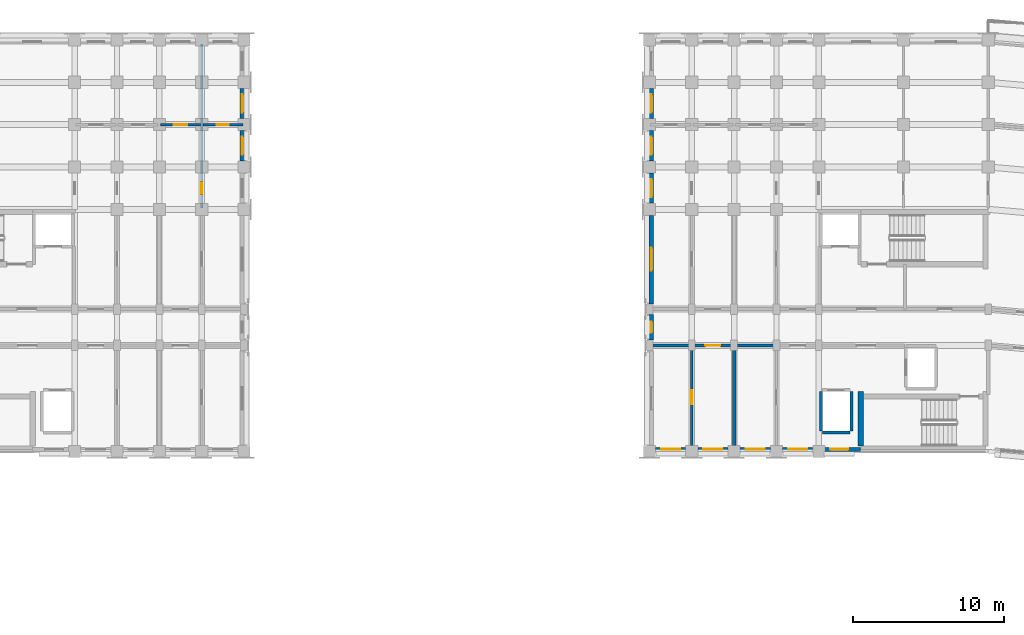
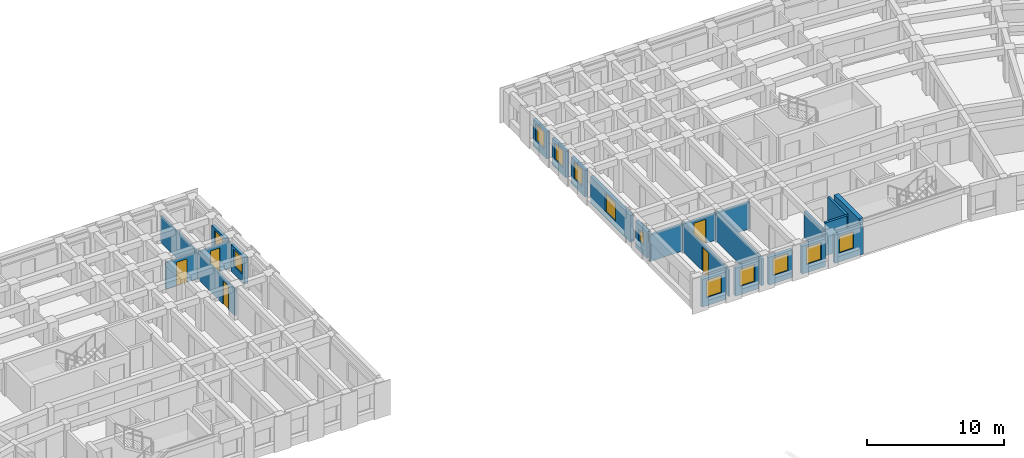
# One storey, part 28 of 54: 24 walls, 12 windows, 5 doors, 17 openings.
"""IFC4 building model written with IfcOpenShell, lengths in metres."""

from ifc_helpers import new_model, si_unit, direction, frame, frame_2d, origin, place, context, subcontext, project, spatial, rectangle, extrude, material, layer, layer_set, type_object, element, fill, save


model = new_model("IFC4")

# Units and contexts
model_context = context("Model", 3, precision=1e-05, world=origin(), true_north=direction((0.0, 1.0)))
body_context = subcontext(model_context, "Body", "Model", "MODEL_VIEW")
ifc_project = project(units=[si_unit("LENGTHUNIT", "METRE"), si_unit("AREAUNIT", "SQUARE_METRE"), si_unit("VOLUMEUNIT", "CUBIC_METRE"), si_unit("PLANEANGLEUNIT", "RADIAN"), si_unit("MASSUNIT", "GRAM", prefix="KILO")], contexts=[model_context])

# Site, building, storey
site_placement = place(None, origin())
site = spatial("IfcSite", under=ifc_project, at=site_placement, CompositionType="ELEMENT")
building_placement = place(site_placement, origin())
building = spatial("IfcBuilding", under=site, at=building_placement, Name="Kiranvali Square Residences", CompositionType="ELEMENT")
storey_placement = place(building_placement, frame((0.0, 0.0, 11.85009765625)))
storey = spatial("IfcBuildingStorey", under=building, at=storey_placement, Name="L03", CompositionType="ELEMENT", Elevation=11.85009765625)

# Wall
ifc_material_1 = material(Name="Autoclaved aerated concrete blockwork masonry", Category="masonry")
ifc_layer_1 = layer(ifc_material_1, 0.199951171875)
ifc_layer_set_1 = layer_set([ifc_layer_1], Name="Autoclaved aerated concrete blockwork masonry")
wall_type_1 = type_object("IfcWallType", Name="WL-COR-200", PredefinedType="STANDARD", material=ifc_layer_set_1)
wall_1_placement = place(storey_placement, frame((105.800048828125, 113.60009765625, 0.0), z_axis=(0.0, 0.0, 1.0), x_axis=(-1.0, 0.0, 0.0)))
element("IfcWall", 1, at=wall_1_placement, inside=storey, type_object=wall_type_1, Name="L03 architectural wall WL-L03-B-A1CI-1", PredefinedType="STANDARD", context=body_context, shape_type="SweptSolid", body=[
    extrude(rectangle(XDim=2.800048828125, YDim=0.199951171875, at=frame_2d((1.39990234375, 0.0))), origin(), (0.0, 0.0, 1.0), 2.371826171875),
])

# Wall, opening, door
wall_2_placement = place(storey_placement, frame((103.0, 113.60009765625, 0.0), z_axis=(0.0, 0.0, 1.0), x_axis=(-1.0, 0.0, 0.0)))
wall_2 = element("IfcWall", 2, at=wall_2_placement, inside=storey, type_object=wall_type_1, Name="L03 architectural wall WL-L03-B-A1CI-2", PredefinedType="STANDARD", context=body_context, shape_type="SweptSolid", body=[
    extrude(rectangle(XDim=2.800048828125, YDim=0.199951171875, at=frame_2d((1.39990234375, 0.0))), origin(), (0.0, 0.0, 1.0), 2.371826171875),
])
opening_1_placement = place(wall_2_placement, frame((0.89990234375, 0.0, 0.0)))
opening_1 = element("IfcOpeningElement", 3, at=opening_1_placement, cuts=wall_2, Name="Opening FD-APT-60", PredefinedType="OPENING", context=body_context, shape_type="SweptSolid", body=[
    extrude(rectangle(XDim=1.0, YDim=2.14990234375, at=frame_2d((0.5, 1.074951171875))), frame((0.0, 0.10986328125, 0.0), z_axis=(0.0, -1.0, 0.0), x_axis=(1.0, 0.0, 0.0)), (0.0, 0.0, 1.0), 0.219970703125),
])
ifc_material_2 = material(Name="Fire-rated acoustic hardwood and mineral-core door assembly", Category="wood")
door_type_1 = type_object("IfcDoorType", Name="DR-APT-1000", OperationType="NOTDEFINED", PredefinedType="DOOR", material=ifc_material_2)
door_1_placement = place(opening_1_placement, frame((1.0, 0.0, 0.0), z_axis=(0.0, 0.0, 1.0), x_axis=(-1.0, 0.0, 0.0)))
door_1 = element("IfcDoor", 4, at=door_1_placement, inside=storey, type_object=door_type_1, Name="L03 door DR-L03-1144 (DR-APT-1000)", OperationType="SINGLE_SWING_RIGHT", OverallHeight=2.14990234375, OverallWidth=1.0, PredefinedType="DOOR", context=body_context, shape_type="SweptSolid", body=[
    extrude(rectangle(XDim=1.0, YDim=2.14990234375, at=frame_2d((0.5, 1.074951171875))), frame((0.0, 0.02490234375, 0.0), z_axis=(0.0, -1.0, 0.0), x_axis=(1.0, 0.0, 0.0)), (0.0, 0.0, 1.0), 0.050048828125),
])
fill(opening_1, door_1)

# Walls
wall_3_placement = place(storey_placement, frame((100.199951171875, 113.60009765625, 0.0), z_axis=(0.0, 0.0, 1.0), x_axis=(-1.0, 0.0, 0.0)))
element("IfcWall", 5, at=wall_3_placement, inside=storey, type_object=wall_type_1, Name="L03 architectural wall WL-L03-B-A1CI-3", PredefinedType="STANDARD", context=body_context, shape_type="SweptSolid", body=[
    extrude(rectangle(XDim=2.800048828125, YDim=0.199951171875, at=frame_2d((1.39990234375, 0.0))), origin(), (0.0, 0.0, 1.0), 2.371826171875),
])
ifc_layer_2 = layer(ifc_material_1, 0.219970703125)
ifc_layer_set_2 = layer_set([ifc_layer_2], Name="Autoclaved aerated concrete blockwork masonry")
wall_type_2 = type_object("IfcWallType", Name="WL-DEM-220", PredefinedType="STANDARD", material=ifc_layer_set_2)
wall_4_placement = place(storey_placement, frame((103.0, 106.800048828125, 0.0), z_axis=(0.0, 0.0, 1.0), x_axis=(0.0, 1.0, 0.0)))
element("IfcWall", 6, at=wall_4_placement, inside=storey, type_object=wall_type_2, Name="L03 architectural wall WL-L03-B-A1TI-2", PredefinedType="STANDARD", context=body_context, shape_type="SweptSolid", body=[
    extrude(rectangle(XDim=6.75, YDim=0.219970703125, at=frame_2d((3.375, 0.0))), origin(), (0.0, 0.0, 1.0), 2.371826171875),
])

# Wall, opening, window
ifc_material_3 = material(Name="Breathable lime-rendered clay brick masonry", Category="masonry")
ifc_layer_3 = layer(ifc_material_3, 0.27490234375)
ifc_layer_set_3 = layer_set([ifc_layer_3], Name="Breathable lime-rendered clay brick masonry")
wall_type_3 = type_object("IfcWallType", Name="WL-EXT-275", PredefinedType="STANDARD", material=ifc_layer_set_3)
wall_5_placement = place(storey_placement, frame((70.47509765625, 125.803466796875, 0.0), z_axis=(0.0, 0.0, 1.0), x_axis=(0.0, 1.0, 0.0)))
wall_5 = element("IfcWall", 7, at=wall_5_placement, inside=storey, type_object=wall_type_3, Name="L03 exterior wall A-L03-A1END-4", PredefinedType="STANDARD", context=body_context, shape_type="SweptSolid", body=[
    extrude(rectangle(XDim=1.992919921875, YDim=0.27490234375, at=frame_2d((0.99658203125, 0.0))), origin(), (0.0, 0.0, 1.0), 2.371826171875),
])
opening_2_placement = place(wall_5_placement, frame((0.396484375, 0.0, 0.672119140625)))
opening_2 = element("IfcOpeningElement", 8, at=opening_2_placement, cuts=wall_5, Name="Opening W-06", PredefinedType="OPENING", context=body_context, shape_type="SweptSolid", body=[
    extrude(rectangle(XDim=1.199951171875, YDim=1.5, at=frame_2d((0.60009765625, 0.75))), frame((0.0, 0.1474609375, 0.0), z_axis=(0.0, -1.0, 0.0), x_axis=(1.0, 0.0, 0.0)), (0.0, 0.0, 1.0), 0.294921875),
])
ifc_material_4 = material(Name="Solar-control low-e double glazing", Category="glass")
window_type_1 = type_object("IfcWindowType", Name="WIN-RES-1200x1500", PartitioningType="SINGLE_PANEL", PredefinedType="WINDOW", material=ifc_material_4)
window_1_placement = place(opening_2_placement, origin())
window_1 = element("IfcWindow", 9, at=window_1_placement, inside=storey, type_object=window_type_1, Name="L03 recessed window A-L03-A1END-4", OverallHeight=1.5, OverallWidth=1.199951171875, PartitioningType="SINGLE_PANEL", PredefinedType="WINDOW", context=body_context, shape_type="SweptSolid", body=[
    extrude(rectangle(XDim=1.199951171875, YDim=1.5, at=frame_2d((0.60009765625, 0.75))), frame((0.0, 0.030029296875, 0.0), z_axis=(0.0, -1.0, 0.0), x_axis=(1.0, 0.0, 0.0)), (0.0, 0.0, 1.0), 0.06005859375),
])
fill(opening_2, window_1)

wall_6_placement = place(storey_placement, frame((70.47509765625, 128.603515625, 0.0), z_axis=(0.0, 0.0, 1.0), x_axis=(0.0, 1.0, 0.0)))
wall_6 = element("IfcWall", 10, at=wall_6_placement, inside=storey, type_object=wall_type_3, Name="L03 exterior wall A-L03-A1END-5", PredefinedType="STANDARD", context=body_context, shape_type="SweptSolid", body=[
    extrude(rectangle(XDim=1.992919921875, YDim=0.27490234375, at=frame_2d((0.99658203125, 0.0))), origin(), (0.0, 0.0, 1.0), 2.371826171875),
])
opening_3_placement = place(wall_6_placement, frame((0.396484375, 0.0, 0.672119140625)))
opening_3 = element("IfcOpeningElement", 11, at=opening_3_placement, cuts=wall_6, Name="Opening W-06", PredefinedType="OPENING", context=body_context, shape_type="SweptSolid", body=[
    extrude(rectangle(XDim=1.199951171875, YDim=1.5, at=frame_2d((0.60009765625, 0.75))), frame((0.0, 0.1474609375, 0.0), z_axis=(0.0, -1.0, 0.0), x_axis=(1.0, 0.0, 0.0)), (0.0, 0.0, 1.0), 0.294921875),
])
window_2_placement = place(opening_3_placement, origin())
window_2 = element("IfcWindow", 12, at=window_2_placement, inside=storey, type_object=window_type_1, Name="L03 recessed window A-L03-A1END-5", OverallHeight=1.5, OverallWidth=1.199951171875, PartitioningType="SINGLE_PANEL", PredefinedType="WINDOW", context=body_context, shape_type="SweptSolid", body=[
    extrude(rectangle(XDim=1.199951171875, YDim=1.5, at=frame_2d((0.60009765625, 0.75))), frame((0.0, 0.030029296875, 0.0), z_axis=(0.0, -1.0, 0.0), x_axis=(1.0, 0.0, 0.0)), (0.0, 0.0, 1.0), 0.06005859375),
])
fill(opening_3, window_2)

wall_7_placement = place(storey_placement, frame((111.37158203125, 106.72509765625, 0.0), z_axis=(0.0, 0.0, 1.0), x_axis=(-1.0, 0.0, 0.0)))
wall_7 = element("IfcWall", 13, at=wall_7_placement, inside=storey, type_object=wall_type_3, Name="L03 exterior wall B-L03-A1IN-0", PredefinedType="STANDARD", context=body_context, shape_type="SweptSolid", body=[
    extrude(rectangle(XDim=2.421630859375, YDim=0.27490234375, at=frame_2d((1.2109375, 0.0))), origin(), (0.0, 0.0, 1.0), 2.471923828125),
])
opening_4_placement = place(wall_7_placement, frame((0.821533203125, 0.0, 0.77197265625)))
opening_4 = element("IfcOpeningElement", 14, at=opening_4_placement, cuts=wall_7, Name="Opening W-06", PredefinedType="OPENING", context=body_context, shape_type="SweptSolid", body=[
    extrude(rectangle(XDim=1.199951171875, YDim=1.5, at=frame_2d((0.60009765625, 0.75))), frame((0.0, 0.1474609375, 0.0), z_axis=(0.0, -1.0, 0.0), x_axis=(1.0, 0.0, 0.0)), (0.0, 0.0, 1.0), 0.294921875),
])
window_3_placement = place(opening_4_placement, origin())
window_3 = element("IfcWindow", 15, at=window_3_placement, inside=storey, type_object=window_type_1, Name="L03 recessed window B-L03-A1IN-0", OverallHeight=1.5, OverallWidth=1.199951171875, PartitioningType="SINGLE_PANEL", PredefinedType="WINDOW", context=body_context, shape_type="SweptSolid", body=[
    extrude(rectangle(XDim=1.199951171875, YDim=1.5, at=frame_2d((0.60009765625, 0.75))), frame((0.0, 0.030029296875, 0.0), z_axis=(0.0, -1.0, 0.0), x_axis=(1.0, 0.0, 0.0)), (0.0, 0.0, 1.0), 0.06005859375),
])
fill(opening_4, window_3)

wall_8_placement = place(storey_placement, frame((108.196533203125, 106.72509765625, 0.0), z_axis=(0.0, 0.0, 1.0), x_axis=(-1.0, 0.0, 0.0)))
wall_8 = element("IfcWall", 16, at=wall_8_placement, inside=storey, type_object=wall_type_3, Name="L03 exterior wall B-L03-A1I-0", PredefinedType="STANDARD", context=body_context, shape_type="SweptSolid", body=[
    extrude(rectangle(XDim=1.992919921875, YDim=0.27490234375, at=frame_2d((0.99658203125, 0.0))), origin(), (0.0, 0.0, 1.0), 2.471923828125),
])
opening_5_placement = place(wall_8_placement, frame((0.37158203125, 0.0, 0.721923828125)))
opening_5 = element("IfcOpeningElement", 17, at=opening_5_placement, cuts=wall_8, Name="Opening W-19", PredefinedType="OPENING", context=body_context, shape_type="SweptSolid", body=[
    extrude(rectangle(XDim=1.25, YDim=1.550048828125, at=frame_2d((0.625, 0.77490234375))), frame((0.0, 0.1474609375, 0.0), z_axis=(0.0, -1.0, 0.0), x_axis=(1.0, 0.0, 0.0)), (0.0, 0.0, 1.0), 0.294921875),
])
window_type_2 = type_object("IfcWindowType", Name="WIN-GDN-1250x1550", PartitioningType="SINGLE_PANEL", PredefinedType="WINDOW", material=ifc_material_4)
window_4_placement = place(opening_5_placement, origin())
window_4 = element("IfcWindow", 18, at=window_4_placement, inside=storey, type_object=window_type_2, Name="L03 recessed window B-L03-A1I-0", OverallHeight=1.550048828125, OverallWidth=1.25, PartitioningType="SINGLE_PANEL", PredefinedType="WINDOW", context=body_context, shape_type="SweptSolid", body=[
    extrude(rectangle(XDim=1.25, YDim=1.550048828125, at=frame_2d((0.625, 0.77490234375))), frame((0.0, 0.030029296875, 0.0), z_axis=(0.0, -1.0, 0.0), x_axis=(1.0, 0.0, 0.0)), (0.0, 0.0, 1.0), 0.06005859375),
])
fill(opening_5, window_4)

wall_9_placement = place(storey_placement, frame((105.396484375, 106.72509765625, 0.0), z_axis=(0.0, 0.0, 1.0), x_axis=(-1.0, 0.0, 0.0)))
wall_9 = element("IfcWall", 19, at=wall_9_placement, inside=storey, type_object=wall_type_3, Name="L03 exterior wall B-L03-A1I-1", PredefinedType="STANDARD", context=body_context, shape_type="SweptSolid", body=[
    extrude(rectangle(XDim=1.992919921875, YDim=0.27490234375, at=frame_2d((0.99658203125, 0.0))), origin(), (0.0, 0.0, 1.0), 2.471923828125),
])
opening_6_placement = place(wall_9_placement, frame((0.37158203125, 0.0, 0.721923828125)))
opening_6 = element("IfcOpeningElement", 20, at=opening_6_placement, cuts=wall_9, Name="Opening W-19", PredefinedType="OPENING", context=body_context, shape_type="SweptSolid", body=[
    extrude(rectangle(XDim=1.25, YDim=1.550048828125, at=frame_2d((0.625, 0.77490234375))), frame((0.0, 0.1474609375, 0.0), z_axis=(0.0, -1.0, 0.0), x_axis=(1.0, 0.0, 0.0)), (0.0, 0.0, 1.0), 0.294921875),
])
window_5_placement = place(opening_6_placement, origin())
window_5 = element("IfcWindow", 21, at=window_5_placement, inside=storey, type_object=window_type_2, Name="L03 recessed window B-L03-A1I-1", OverallHeight=1.550048828125, OverallWidth=1.25, PartitioningType="SINGLE_PANEL", PredefinedType="WINDOW", context=body_context, shape_type="SweptSolid", body=[
    extrude(rectangle(XDim=1.25, YDim=1.550048828125, at=frame_2d((0.625, 0.77490234375))), frame((0.0, 0.030029296875, 0.0), z_axis=(0.0, -1.0, 0.0), x_axis=(1.0, 0.0, 0.0)), (0.0, 0.0, 1.0), 0.06005859375),
])
fill(opening_6, window_5)

wall_10_placement = place(storey_placement, frame((102.596435546875, 106.72509765625, 0.0), z_axis=(0.0, 0.0, 1.0), x_axis=(-1.0, 0.0, 0.0)))
wall_10 = element("IfcWall", 22, at=wall_10_placement, inside=storey, type_object=wall_type_3, Name="L03 exterior wall B-L03-A1I-2", PredefinedType="STANDARD", context=body_context, shape_type="SweptSolid", body=[
    extrude(rectangle(XDim=1.992919921875, YDim=0.27490234375, at=frame_2d((0.99658203125, 0.0))), origin(), (0.0, 0.0, 1.0), 2.471923828125),
])
opening_7_placement = place(wall_10_placement, frame((0.37158203125, 0.0, 0.721923828125)))
opening_7 = element("IfcOpeningElement", 23, at=opening_7_placement, cuts=wall_10, Name="Opening W-19", PredefinedType="OPENING", context=body_context, shape_type="SweptSolid", body=[
    extrude(rectangle(XDim=1.25, YDim=1.550048828125, at=frame_2d((0.625, 0.77490234375))), frame((0.0, 0.1474609375, 0.0), z_axis=(0.0, -1.0, 0.0), x_axis=(1.0, 0.0, 0.0)), (0.0, 0.0, 1.0), 0.294921875),
])
window_6_placement = place(opening_7_placement, origin())
window_6 = element("IfcWindow", 24, at=window_6_placement, inside=storey, type_object=window_type_2, Name="L03 recessed window B-L03-A1I-2", OverallHeight=1.550048828125, OverallWidth=1.25, PartitioningType="SINGLE_PANEL", PredefinedType="WINDOW", context=body_context, shape_type="SweptSolid", body=[
    extrude(rectangle(XDim=1.25, YDim=1.550048828125, at=frame_2d((0.625, 0.77490234375))), frame((0.0, 0.030029296875, 0.0), z_axis=(0.0, -1.0, 0.0), x_axis=(1.0, 0.0, 0.0)), (0.0, 0.0, 1.0), 0.06005859375),
])
fill(opening_7, window_6)

wall_11_placement = place(storey_placement, frame((99.79638671875, 106.72509765625, 0.0), z_axis=(0.0, 0.0, 1.0), x_axis=(-1.0, 0.0, 0.0)))
wall_11 = element("IfcWall", 25, at=wall_11_placement, inside=storey, type_object=wall_type_3, Name="L03 exterior wall B-L03-A1I-3", PredefinedType="STANDARD", context=body_context, shape_type="SweptSolid", body=[
    extrude(rectangle(XDim=1.992919921875, YDim=0.27490234375, at=frame_2d((0.99658203125, 0.0))), origin(), (0.0, 0.0, 1.0), 2.471923828125),
])
opening_8_placement = place(wall_11_placement, frame((0.37158203125, 0.0, 0.721923828125)))
opening_8 = element("IfcOpeningElement", 26, at=opening_8_placement, cuts=wall_11, Name="Opening W-19", PredefinedType="OPENING", context=body_context, shape_type="SweptSolid", body=[
    extrude(rectangle(XDim=1.25, YDim=1.550048828125, at=frame_2d((0.625, 0.77490234375))), frame((0.0, 0.1474609375, 0.0), z_axis=(0.0, -1.0, 0.0), x_axis=(1.0, 0.0, 0.0)), (0.0, 0.0, 1.0), 0.294921875),
])
window_7_placement = place(opening_8_placement, origin())
window_7 = element("IfcWindow", 27, at=window_7_placement, inside=storey, type_object=window_type_2, Name="L03 recessed window B-L03-A1I-3", OverallHeight=1.550048828125, OverallWidth=1.25, PartitioningType="SINGLE_PANEL", PredefinedType="WINDOW", context=body_context, shape_type="SweptSolid", body=[
    extrude(rectangle(XDim=1.25, YDim=1.550048828125, at=frame_2d((0.625, 0.77490234375))), frame((0.0, 0.030029296875, 0.0), z_axis=(0.0, -1.0, 0.0), x_axis=(1.0, 0.0, 0.0)), (0.0, 0.0, 1.0), 0.06005859375),
])
fill(opening_8, window_7)

wall_12_placement = place(storey_placement, frame((97.52490234375, 113.95361328125, 0.0), z_axis=(0.0, 0.0, 1.0), x_axis=(0.0, 1.0, 0.0)))
wall_12 = element("IfcWall", 28, at=wall_12_placement, inside=storey, type_object=wall_type_3, Name="L03 exterior wall B-L03-A1END-1", PredefinedType="STANDARD", context=body_context, shape_type="SweptSolid", body=[
    extrude(rectangle(XDim=1.69287109375, YDim=0.27490234375, at=frame_2d((0.846435546875, 0.0))), origin(), (0.0, 0.0, 1.0), 2.371826171875),
])
opening_9_placement = place(wall_12_placement, frame((0.471435546875, 0.0, 0.8798828125)))
opening_9 = element("IfcOpeningElement", 29, at=opening_9_placement, cuts=wall_12, Name="Opening W-07", PredefinedType="OPENING", context=body_context, shape_type="SweptSolid", body=[
    extrude(rectangle(XDim=0.75, YDim=1.050048828125, at=frame_2d((0.375, 0.52490234375))), frame((0.0, 0.1474609375, 0.0), z_axis=(0.0, -1.0, 0.0), x_axis=(1.0, 0.0, 0.0)), (0.0, 0.0, 1.0), 0.294921875),
])
window_type_3 = type_object("IfcWindowType", Name="WIN-WET-750x1050", PartitioningType="SINGLE_PANEL", PredefinedType="WINDOW", material=ifc_material_4)
window_8_placement = place(opening_9_placement, origin())
window_8 = element("IfcWindow", 30, at=window_8_placement, inside=storey, type_object=window_type_3, Name="L03 recessed window B-L03-A1END-1", OverallHeight=1.050048828125, OverallWidth=0.75, PartitioningType="SINGLE_PANEL", PredefinedType="WINDOW", context=body_context, shape_type="SweptSolid", body=[
    extrude(rectangle(XDim=0.75, YDim=1.050048828125, at=frame_2d((0.375, 0.52490234375))), frame((0.0, 0.030029296875, 0.0), z_axis=(0.0, -1.0, 0.0), x_axis=(1.0, 0.0, 0.0)), (0.0, 0.0, 1.0), 0.06005859375),
])
fill(opening_9, window_8)

wall_13_placement = place(storey_placement, frame((97.52490234375, 116.353515625, 0.0), z_axis=(0.0, 0.0, 1.0), x_axis=(0.0, 1.0, 0.0)))
wall_13 = element("IfcWall", 31, at=wall_13_placement, inside=storey, type_object=wall_type_3, Name="L03 exterior wall B-L03-A1END-2", PredefinedType="STANDARD", context=body_context, shape_type="SweptSolid", body=[
    extrude(rectangle(XDim=5.843017578125, YDim=0.27490234375, at=frame_2d((2.92138671875, 0.0))), origin(), (0.0, 0.0, 1.0), 2.371826171875),
])
opening_10_placement = place(wall_13_placement, frame((2.196533203125, 0.0, 0.52197265625)))
opening_10 = element("IfcOpeningElement", 32, at=opening_10_placement, cuts=wall_13, Name="Opening W-05", PredefinedType="OPENING", context=body_context, shape_type="SweptSolid", body=[
    extrude(rectangle(XDim=1.5, YDim=1.64990234375, at=frame_2d((0.75, 0.824951171875))), frame((0.0, 0.1474609375, 0.0), z_axis=(0.0, -1.0, 0.0), x_axis=(1.0, 0.0, 0.0)), (0.0, 0.0, 1.0), 0.294921875),
])
window_type_4 = type_object("IfcWindowType", Name="WIN-RES-1500x1650", PartitioningType="DOUBLE_PANEL_VERTICAL", PredefinedType="WINDOW", material=ifc_material_4)
window_9_placement = place(opening_10_placement, origin())
window_9 = element("IfcWindow", 33, at=window_9_placement, inside=storey, type_object=window_type_4, Name="L03 recessed window B-L03-A1END-2", OverallHeight=1.64990234375, OverallWidth=1.5, PartitioningType="DOUBLE_PANEL_VERTICAL", PredefinedType="WINDOW", context=body_context, shape_type="SweptSolid", body=[
    extrude(rectangle(XDim=1.5, YDim=1.64990234375, at=frame_2d((0.75, 0.824951171875))), frame((0.0, 0.030029296875, 0.0), z_axis=(0.0, -1.0, 0.0), x_axis=(1.0, 0.0, 0.0)), (0.0, 0.0, 1.0), 0.06005859375),
])
fill(opening_10, window_9)

wall_14_placement = place(storey_placement, frame((97.52490234375, 123.00341796875, 0.0), z_axis=(0.0, 0.0, 1.0), x_axis=(0.0, 1.0, 0.0)))
wall_14 = element("IfcWall", 34, at=wall_14_placement, inside=storey, type_object=wall_type_3, Name="L03 exterior wall B-L03-A1END-3", PredefinedType="STANDARD", context=body_context, shape_type="SweptSolid", body=[
    extrude(rectangle(XDim=1.9931640625, YDim=0.27490234375, at=frame_2d((0.99658203125, 0.0))), origin(), (0.0, 0.0, 1.0), 2.371826171875),
])
opening_11_placement = place(wall_14_placement, frame((0.396484375, 0.0, 0.672119140625)))
opening_11 = element("IfcOpeningElement", 35, at=opening_11_placement, cuts=wall_14, Name="Opening W-06", PredefinedType="OPENING", context=body_context, shape_type="SweptSolid", body=[
    extrude(rectangle(XDim=1.199951171875, YDim=1.5, at=frame_2d((0.60009765625, 0.75))), frame((0.0, 0.1474609375, 0.0), z_axis=(0.0, -1.0, 0.0), x_axis=(1.0, 0.0, 0.0)), (0.0, 0.0, 1.0), 0.294921875),
])
window_10_placement = place(opening_11_placement, origin())
window_10 = element("IfcWindow", 36, at=window_10_placement, inside=storey, type_object=window_type_1, Name="L03 recessed window B-L03-A1END-3", OverallHeight=1.5, OverallWidth=1.199951171875, PartitioningType="SINGLE_PANEL", PredefinedType="WINDOW", context=body_context, shape_type="SweptSolid", body=[
    extrude(rectangle(XDim=1.199951171875, YDim=1.5, at=frame_2d((0.60009765625, 0.75))), frame((0.0, 0.030029296875, 0.0), z_axis=(0.0, -1.0, 0.0), x_axis=(1.0, 0.0, 0.0)), (0.0, 0.0, 1.0), 0.06005859375),
])
fill(opening_11, window_10)

wall_15_placement = place(storey_placement, frame((97.52490234375, 125.803466796875, 0.0), z_axis=(0.0, 0.0, 1.0), x_axis=(0.0, 1.0, 0.0)))
wall_15 = element("IfcWall", 37, at=wall_15_placement, inside=storey, type_object=wall_type_3, Name="L03 exterior wall B-L03-A1END-4", PredefinedType="STANDARD", context=body_context, shape_type="SweptSolid", body=[
    extrude(rectangle(XDim=1.992919921875, YDim=0.27490234375, at=frame_2d((0.99658203125, 0.0))), origin(), (0.0, 0.0, 1.0), 2.371826171875),
])
opening_12_placement = place(wall_15_placement, frame((0.396484375, 0.0, 0.672119140625)))
opening_12 = element("IfcOpeningElement", 38, at=opening_12_placement, cuts=wall_15, Name="Opening W-06", PredefinedType="OPENING", context=body_context, shape_type="SweptSolid", body=[
    extrude(rectangle(XDim=1.199951171875, YDim=1.5, at=frame_2d((0.60009765625, 0.75))), frame((0.0, 0.1474609375, 0.0), z_axis=(0.0, -1.0, 0.0), x_axis=(1.0, 0.0, 0.0)), (0.0, 0.0, 1.0), 0.294921875),
])
window_11_placement = place(opening_12_placement, origin())
window_11 = element("IfcWindow", 39, at=window_11_placement, inside=storey, type_object=window_type_1, Name="L03 recessed window B-L03-A1END-4", OverallHeight=1.5, OverallWidth=1.199951171875, PartitioningType="SINGLE_PANEL", PredefinedType="WINDOW", context=body_context, shape_type="SweptSolid", body=[
    extrude(rectangle(XDim=1.199951171875, YDim=1.5, at=frame_2d((0.60009765625, 0.75))), frame((0.0, 0.030029296875, 0.0), z_axis=(0.0, -1.0, 0.0), x_axis=(1.0, 0.0, 0.0)), (0.0, 0.0, 1.0), 0.06005859375),
])
fill(opening_12, window_11)

wall_16_placement = place(storey_placement, frame((97.52490234375, 128.603515625, 0.0), z_axis=(0.0, 0.0, 1.0), x_axis=(0.0, 1.0, 0.0)))
wall_16 = element("IfcWall", 40, at=wall_16_placement, inside=storey, type_object=wall_type_3, Name="L03 exterior wall B-L03-A1END-5", PredefinedType="STANDARD", context=body_context, shape_type="SweptSolid", body=[
    extrude(rectangle(XDim=1.992919921875, YDim=0.27490234375, at=frame_2d((0.99658203125, 0.0))), origin(), (0.0, 0.0, 1.0), 2.371826171875),
])
opening_13_placement = place(wall_16_placement, frame((0.396484375, 0.0, 0.672119140625)))
opening_13 = element("IfcOpeningElement", 41, at=opening_13_placement, cuts=wall_16, Name="Opening W-06", PredefinedType="OPENING", context=body_context, shape_type="SweptSolid", body=[
    extrude(rectangle(XDim=1.199951171875, YDim=1.5, at=frame_2d((0.60009765625, 0.75))), frame((0.0, 0.1474609375, 0.0), z_axis=(0.0, -1.0, 0.0), x_axis=(1.0, 0.0, 0.0)), (0.0, 0.0, 1.0), 0.294921875),
])
window_12_placement = place(opening_13_placement, origin())
window_12 = element("IfcWindow", 42, at=window_12_placement, inside=storey, type_object=window_type_1, Name="L03 recessed window B-L03-A1END-5", OverallHeight=1.5, OverallWidth=1.199951171875, PartitioningType="SINGLE_PANEL", PredefinedType="WINDOW", context=body_context, shape_type="SweptSolid", body=[
    extrude(rectangle(XDim=1.199951171875, YDim=1.5, at=frame_2d((0.60009765625, 0.75))), frame((0.0, 0.030029296875, 0.0), z_axis=(0.0, -1.0, 0.0), x_axis=(1.0, 0.0, 0.0)), (0.0, 0.0, 1.0), 0.06005859375),
])
fill(opening_13, window_12)

# Wall, opening, door
ifc_material_5 = material(Name="Acoustic gypsum board drylined partition", Category="gypsum")
ifc_layer_4 = layer(ifc_material_5, 0.14990234375)
ifc_layer_set_4 = layer_set([ifc_layer_4], Name="Acoustic gypsum board drylined partition")
wall_type_4 = type_object("IfcWallType", Name="WL-PRT-150", PredefinedType="PARTITIONING", material=ifc_layer_set_4)
wall_17_placement = place(storey_placement, frame((67.800048828125, 122.699951171875, 0.0), z_axis=(0.0, 0.0, 1.0), x_axis=(0.0, 1.0, 0.0)))
wall_17 = element("IfcWall", 43, at=wall_17_placement, inside=storey, type_object=wall_type_4, Name="L03 architectural wall WL-L03-A-A1TO2-3", PredefinedType="PARTITIONING", context=body_context, shape_type="SweptSolid", body=[
    extrude(rectangle(XDim=10.820068359375, YDim=0.14990234375, at=frame_2d((5.41015625, 0.0))), origin(), (0.0, 0.0, 1.0), 2.371826171875),
])
opening_14_placement = place(wall_17_placement, frame((0.8994140625, 0.0, 0.0)))
opening_14 = element("IfcOpeningElement", 44, at=opening_14_placement, cuts=wall_17, Name="Opening ID-WET", PredefinedType="OPENING", context=body_context, shape_type="SweptSolid", body=[
    extrude(rectangle(XDim=0.800048828125, YDim=2.10009765625, at=frame_2d((0.39990234375, 1.050048828125))), frame((0.0, 0.0849609375, 0.0), z_axis=(0.0, -1.0, 0.0), x_axis=(1.0, 0.0, 0.0)), (0.0, 0.0, 1.0), 0.169921875),
])
ifc_material_6 = material(Name="Solid seasoned teak hardwood joinery", Category="wood")
door_type_2 = type_object("IfcDoorType", Name="DR-WET-800", OperationType="NOTDEFINED", PredefinedType="DOOR", material=ifc_material_6)
door_2_placement = place(opening_14_placement, frame((0.800048828125, 0.0, 0.0), z_axis=(0.0, 0.0, 1.0), x_axis=(-1.0, 0.0, 0.0)))
door_2 = element("IfcDoor", 45, at=door_2_placement, inside=storey, type_object=door_type_2, Name="L03 door DR-L03-0240 (DR-WET-800)", OperationType="SINGLE_SWING_RIGHT", OverallHeight=2.10009765625, OverallWidth=0.800048828125, PredefinedType="DOOR", context=body_context, shape_type="SweptSolid", body=[
    extrude(rectangle(XDim=0.800048828125, YDim=2.10009765625, at=frame_2d((0.39990234375, 1.050048828125))), frame((0.0, 0.02490234375, 0.0), z_axis=(0.0, -1.0, 0.0), x_axis=(1.0, 0.0, 0.0)), (0.0, 0.0, 1.0), 0.050048828125),
])
fill(opening_14, door_2)

wall_18_placement = place(storey_placement, frame((100.199951171875, 106.800048828125, 0.0), z_axis=(0.0, 0.0, 1.0), x_axis=(0.0, 1.0, 0.0)))
wall_18 = element("IfcWall", 46, at=wall_18_placement, inside=storey, type_object=wall_type_4, Name="L03 architectural wall WL-L03-B-A1TI-3", PredefinedType="PARTITIONING", context=body_context, shape_type="SweptSolid", body=[
    extrude(rectangle(XDim=6.75, YDim=0.14990234375, at=frame_2d((3.375, 0.0))), origin(), (0.0, 0.0, 1.0), 2.371826171875),
])
opening_15_placement = place(wall_18_placement, frame((2.925048828125, 0.0, 0.0)))
opening_15 = element("IfcOpeningElement", 47, at=opening_15_placement, cuts=wall_18, Name="Opening ID-1", PredefinedType="OPENING", context=body_context, shape_type="SweptSolid", body=[
    extrude(rectangle(XDim=0.89990234375, YDim=2.10009765625, at=frame_2d((0.449951171875, 1.050048828125))), frame((0.0, 0.0849609375, 0.0), z_axis=(0.0, -1.0, 0.0), x_axis=(1.0, 0.0, 0.0)), (0.0, 0.0, 1.0), 0.169921875),
])
door_type_3 = type_object("IfcDoorType", Name="DR-INT-900", OperationType="NOTDEFINED", PredefinedType="DOOR", material=ifc_material_6)
door_3_placement = place(opening_15_placement, frame((0.89990234375, 0.0, 0.0), z_axis=(0.0, 0.0, 1.0), x_axis=(-1.0, 0.0, 0.0)))
door_3 = element("IfcDoor", 48, at=door_3_placement, inside=storey, type_object=door_type_3, Name="L03 door DR-L03-1152 (DR-INT-900)", OperationType="SINGLE_SWING_RIGHT", OverallHeight=2.10009765625, OverallWidth=0.89990234375, PredefinedType="DOOR", context=body_context, shape_type="SweptSolid", body=[
    extrude(rectangle(XDim=0.89990234375, YDim=2.10009765625, at=frame_2d((0.449951171875, 1.050048828125))), frame((0.0, 0.02490234375, 0.0), z_axis=(0.0, -1.0, 0.0), x_axis=(1.0, 0.0, 0.0)), (0.0, 0.0, 1.0), 0.050048828125),
])
fill(opening_15, door_3)

# Walls
ifc_layer_5 = layer(ifc_material_1, 0.199951171875)
ifc_layer_set_5 = layer_set([ifc_layer_5], Name="Autoclaved aerated concrete blockwork masonry")
wall_type_5 = type_object("IfcWallType", Name="WL-SHF-200", PredefinedType="STANDARD", material=ifc_layer_set_5)
wall_19_placement = place(storey_placement, frame((110.75, 107.949951171875, 0.0), z_axis=(0.0, 0.0, 1.0), x_axis=(0.0, 1.0, 0.0)))
element("IfcWall", 49, at=wall_19_placement, inside=storey, type_object=wall_type_5, Name="L03 architectural wall WL-L03-B-LP1-S1", PredefinedType="STANDARD", context=body_context, shape_type="SweptSolid", body=[
    extrude(rectangle(XDim=2.60009765625, YDim=0.199951171875, at=frame_2d((1.300048828125, 0.0))), origin(), (0.0, 0.0, 1.0), 2.929931640625),
])
wall_20_placement = place(storey_placement, frame((108.75, 107.949951171875, 0.0), z_axis=(0.0, 0.0, 1.0), x_axis=(0.0, 1.0, 0.0)))
element("IfcWall", 50, at=wall_20_placement, inside=storey, type_object=wall_type_5, Name="L03 architectural wall WL-L03-B-LP1-B", PredefinedType="STANDARD", context=body_context, shape_type="SweptSolid", body=[
    extrude(rectangle(XDim=2.60009765625, YDim=0.199951171875, at=frame_2d((1.300048828125, 0.0))), origin(), (0.0, 0.0, 1.0), 2.371826171875),
])
wall_21_placement = place(storey_placement, frame((110.64990234375, 107.85009765625, 0.0), z_axis=(0.0, 0.0, 1.0), x_axis=(-1.0, 0.0, 0.0)))
element("IfcWall", 51, at=wall_21_placement, inside=storey, type_object=wall_type_5, Name="L03 architectural wall WL-L03-B-LP1-S2", PredefinedType="STANDARD", context=body_context, shape_type="SweptSolid", body=[
    extrude(rectangle(XDim=1.7998046875, YDim=0.199951171875, at=frame_2d((0.89990234375, 0.0))), origin(), (0.0, 0.0, 1.0), 2.929931640625),
])
ifc_material_7 = material(Name="Concrete M50 (50 MPa)", Category="concrete")
ifc_layer_6 = layer(ifc_material_7, 0.35009765625)
ifc_layer_set_6 = layer_set([ifc_layer_6], Name="Concrete M50 (50 MPa)")
wall_type_6 = type_object("IfcWallType", Name="WL-SHR-350", PredefinedType="SHEAR", material=ifc_layer_set_6)
wall_22_placement = place(storey_placement, frame((111.375, 106.949951171875, 0.0), z_axis=(0.0, 0.0, 1.0), x_axis=(0.0, 1.0, 0.0)))
element("IfcWall", 52, at=wall_22_placement, inside=storey, type_object=wall_type_6, Name="Block B core shear wall SW-B2-FAR-L03", PredefinedType="SHEAR", context=body_context, shape_type="SweptSolid", body=[
    extrude(rectangle(XDim=3.60009765625, YDim=0.35009765625, at=frame_2d((1.800048828125, 0.0))), origin(), (0.0, 0.0, 1.0), 2.929931640625),
])

# Wall, opening, door
ifc_layer_7 = layer(ifc_material_1, 0.159912109375)
ifc_layer_set_7 = layer_set([ifc_layer_7], Name="Autoclaved aerated concrete blockwork masonry")
wall_type_7 = type_object("IfcWallType", Name="WL-WET-160", PredefinedType="PLUMBINGWALL", material=ifc_layer_set_7)
wall_23_placement = place(storey_placement, frame((65.080078125, 128.199951171875, 0.0), z_axis=(0.0, 0.0, 1.0), x_axis=(1.0, 0.0, 0.0)))
wall_23 = element("IfcWall", 53, at=wall_23_placement, inside=storey, type_object=wall_type_7, Name="L03 architectural wall WL-L03-A-A1SP-2", PredefinedType="PLUMBINGWALL", context=body_context, shape_type="SweptSolid", body=[
    extrude(rectangle(XDim=2.639892578125, YDim=0.159912109375, at=frame_2d((1.31982421875, 0.0))), origin(), (0.0, 0.0, 1.0), 2.371826171875),
])
opening_16_placement = place(wall_23_placement, frame((0.8701171875, 0.0, 0.0)))
opening_16 = element("IfcOpeningElement", 54, at=opening_16_placement, cuts=wall_23, Name="Opening ID-1", PredefinedType="OPENING", context=body_context, shape_type="SweptSolid", body=[
    extrude(rectangle(XDim=0.89990234375, YDim=2.10009765625, at=frame_2d((0.449951171875, 1.050048828125))), frame((0.0, 0.08984375, 0.0), z_axis=(0.0, -1.0, 0.0), x_axis=(1.0, 0.0, 0.0)), (0.0, 0.0, 1.0), 0.179931640625),
])
door_4_placement = place(opening_16_placement, origin())
door_4 = element("IfcDoor", 55, at=door_4_placement, inside=storey, type_object=door_type_3, Name="L03 door DR-L03-0231 (DR-INT-900)", OperationType="SINGLE_SWING_LEFT", OverallHeight=2.10009765625, OverallWidth=0.89990234375, PredefinedType="DOOR", context=body_context, shape_type="SweptSolid", body=[
    extrude(rectangle(XDim=0.89990234375, YDim=2.10009765625, at=frame_2d((0.449951171875, 1.050048828125))), frame((0.0, 0.02490234375, 0.0), z_axis=(0.0, -1.0, 0.0), x_axis=(1.0, 0.0, 0.0)), (0.0, 0.0, 1.0), 0.050048828125),
])
fill(opening_16, door_4)

wall_24_placement = place(storey_placement, frame((67.8798828125, 128.199951171875, 0.0), z_axis=(0.0, 0.0, 1.0), x_axis=(1.0, 0.0, 0.0)))
wall_24 = element("IfcWall", 56, at=wall_24_placement, inside=storey, type_object=wall_type_7, Name="L03 architectural wall WL-L03-A-A1SP-3", PredefinedType="PLUMBINGWALL", context=body_context, shape_type="SweptSolid", body=[
    extrude(rectangle(XDim=2.64013671875, YDim=0.159912109375, at=frame_2d((1.320068359375, 0.0))), origin(), (0.0, 0.0, 1.0), 2.371826171875),
])
opening_17_placement = place(wall_24_placement, frame((0.919921875, 0.0, 0.0)))
opening_17 = element("IfcOpeningElement", 57, at=opening_17_placement, cuts=wall_24, Name="Opening ID-WET", PredefinedType="OPENING", context=body_context, shape_type="SweptSolid", body=[
    extrude(rectangle(XDim=0.800048828125, YDim=2.10009765625, at=frame_2d((0.39990234375, 1.050048828125))), frame((0.0, 0.08984375, 0.0), z_axis=(0.0, -1.0, 0.0), x_axis=(1.0, 0.0, 0.0)), (0.0, 0.0, 1.0), 0.179931640625),
])
door_5_placement = place(opening_17_placement, origin())
door_5 = element("IfcDoor", 58, at=door_5_placement, inside=storey, type_object=door_type_2, Name="L03 door DR-L03-0233 (DR-WET-800)", OperationType="SINGLE_SWING_LEFT", OverallHeight=2.10009765625, OverallWidth=0.800048828125, PredefinedType="DOOR", context=body_context, shape_type="SweptSolid", body=[
    extrude(rectangle(XDim=0.800048828125, YDim=2.10009765625, at=frame_2d((0.39990234375, 1.050048828125))), frame((0.0, 0.02490234375, 0.0), z_axis=(0.0, -1.0, 0.0), x_axis=(1.0, 0.0, 0.0)), (0.0, 0.0, 1.0), 0.050048828125),
])
fill(opening_17, door_5)

save(model, "model.ifc")
